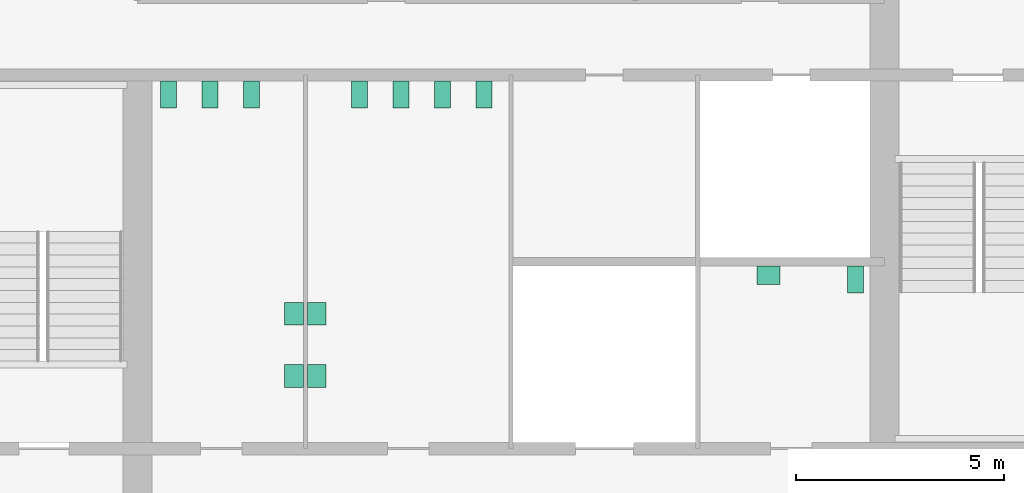
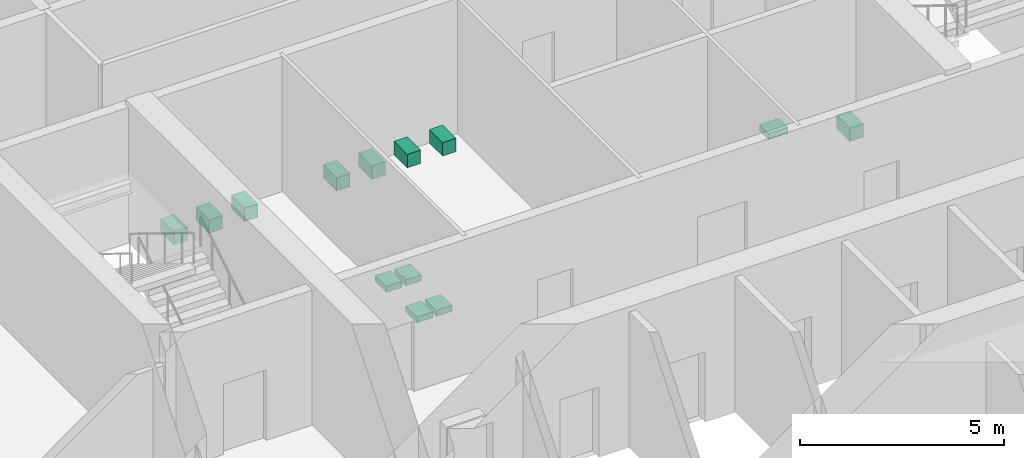
# One storey, part 13 of 13: 13 sanitary terminals.
"""IFC4 building model written with IfcOpenShell, lengths in metres."""

from ifc_helpers import new_model, si_unit, direction, frame, origin, origin_2d, place, context, subcontext, project, spatial, rectangle, extrude, material, type_object, element, save


model = new_model("IFC4")

# Units and contexts
model_context = context("Model", 3, precision=1e-05, world=origin(), true_north=direction((0.0, 1.0)))
body_context = subcontext(model_context, "Body", "Model", "MODEL_VIEW")
ifc_project = project(units=[si_unit("LENGTHUNIT", "METRE"), si_unit("AREAUNIT", "SQUARE_METRE"), si_unit("VOLUMEUNIT", "CUBIC_METRE"), si_unit("PLANEANGLEUNIT", "RADIAN"), si_unit("MASSUNIT", "GRAM", prefix="KILO")], contexts=[model_context])

# Site, building, storey
site_placement = place(None, origin())
site = spatial("IfcSite", under=ifc_project, at=site_placement, CompositionType="ELEMENT")
building_placement = place(site_placement, origin())
building = spatial("IfcBuilding", under=site, at=building_placement, Name="Corais Broadcast Tower", CompositionType="ELEMENT")
storey_placement = place(building_placement, frame((0.0, 0.0, 79.39990234375)))
storey = spatial("IfcBuildingStorey", under=building, at=storey_placement, Name="L17", CompositionType="ELEMENT", Elevation=79.39990234375)

# Sanitary terminals
ifc_material_1 = material(Name="Vitreous china", Category="ceramic")
sanitary_terminal_type_1 = type_object("IfcSanitaryTerminalType", Name="WC pan 380x650", PredefinedType="TOILETPAN", material=ifc_material_1)
for number, where, z_axis, x_axis, name in (
    (1, (18.75, 31.02490234375, 0.000244140625), (0.0, 0.0, 1.0), (1.0, 0.0, 0.0), "SW1 WC pan, male toilets L17"),
    (2, (19.75, 31.02490234375, 0.000244140625), (0.0, 0.0, 1.0), (1.0, 0.0, 0.0), "SW1 WC pan, male toilets L17"),
    (3, (20.75, 31.02490234375, 0.000244140625), (0.0, 0.0, 1.0), (1.0, 0.0, 0.0), "SW1 WC pan, male toilets L17"),
    (4, (23.35009765625, 31.02490234375, 0.000244140625), (0.0, 0.0, 1.0), (1.0, 0.0, 0.0), "SW1 WC pan, female toilets L17"),
    (5, (24.35009765625, 31.02490234375, 0.000244140625), (0.0, 0.0, 1.0), (1.0, 0.0, 0.0), "SW1 WC pan, female toilets L17"),
    (6, (25.35009765625, 31.02490234375, 0.000244140625), (0.0, 0.0, 1.0), (1.0, 0.0, 0.0), "SW1 WC pan, female toilets L17"),
    (7, (26.35009765625, 31.02490234375, 0.000244140625), (0.0, 0.0, 1.0), (1.0, 0.0, 0.0), "SW1 WC pan, female toilets L17"),
    (8, (35.300048828125, 26.574951171875, 0.000244140625), (0.0, 0.0, 1.0), (1.0, 0.0, 0.0), "SW1 WC pan, accessible WC L17"),
):
    element("IfcSanitaryTerminal", number, at=place(storey_placement, frame(where, z_axis=z_axis, x_axis=x_axis)), inside=storey, type_object=sanitary_terminal_type_1, Name=name, PredefinedType="TOILETPAN", context=body_context, shape_type="SweptSolid", body=[
        extrude(rectangle(XDim=0.3798828125, YDim=0.64990234375, at=origin_2d()), origin(), (0.0, 0.0, 1.0), 0.39990234375),
    ])
ifc_material_2 = material(Name="Vitreous china", Category="ceramic")
sanitary_terminal_type_2 = type_object("IfcSanitaryTerminalType", Name="Wash basin 550x450", PredefinedType="WASHHANDBASIN", material=ifc_material_2)
for number, where, z_axis, x_axis, name in (
    (9, (21.77490234375, 24.25, 0.7001953125), (0.0, 0.0, 1.0), (1.0, 0.0, 0.0), "WB1 wash basin, male toilets L17"),
    (10, (21.77490234375, 25.75, 0.7001953125), (0.0, 0.0, 1.0), (1.0, 0.0, 0.0), "WB1 wash basin, male toilets L17"),
    (11, (22.324951171875, 24.25, 0.7001953125), (0.0, 0.0, 1.0), (1.0, 0.0, 0.0), "WB1 wash basin, female toilets L17"),
    (12, (22.324951171875, 25.75, 0.7001953125), (0.0, 0.0, 1.0), (1.0, 0.0, 0.0), "WB1 wash basin, female toilets L17"),
):
    element("IfcSanitaryTerminal", number, at=place(storey_placement, frame(where, z_axis=z_axis, x_axis=x_axis)), inside=storey, type_object=sanitary_terminal_type_2, Name=name, PredefinedType="WASHHANDBASIN", context=body_context, shape_type="SweptSolid", body=[
        extrude(rectangle(XDim=0.449951171875, YDim=0.550048828125, at=origin_2d()), origin(), (0.0, 0.0, 1.0), 0.179931640625),
    ])
sanitary_terminal_placement = place(storey_placement, frame((33.199951171875, 26.675048828125, 0.7001953125), z_axis=(0.0, 0.0, 1.0), x_axis=(1.0, 0.0, 0.0)))
element("IfcSanitaryTerminal", 13, at=sanitary_terminal_placement, inside=storey, type_object=sanitary_terminal_type_2, Name="WB1 wash basin, accessible WC L17", PredefinedType="WASHHANDBASIN", context=body_context, shape_type="SweptSolid", body=[
    extrude(rectangle(XDim=0.550048828125, YDim=0.449951171875, at=origin_2d()), origin(), (0.0, 0.0, 1.0), 0.179931640625),
])

save(model, "model.ifc")
